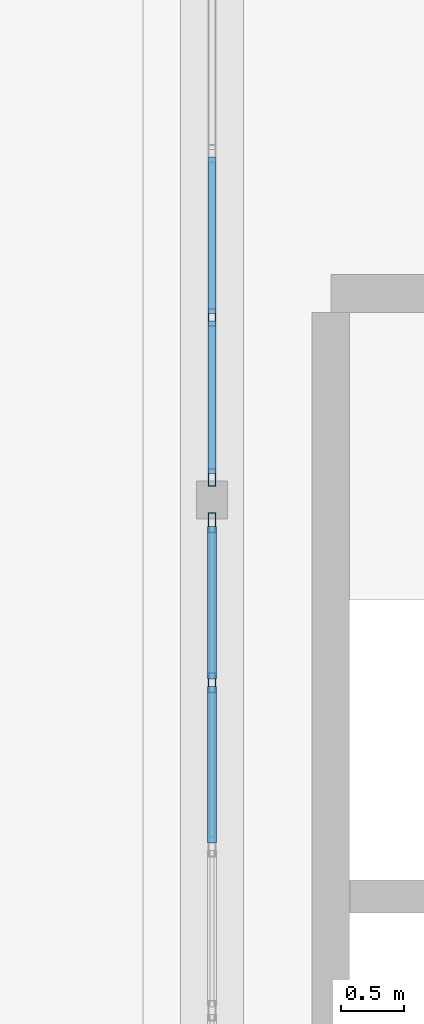
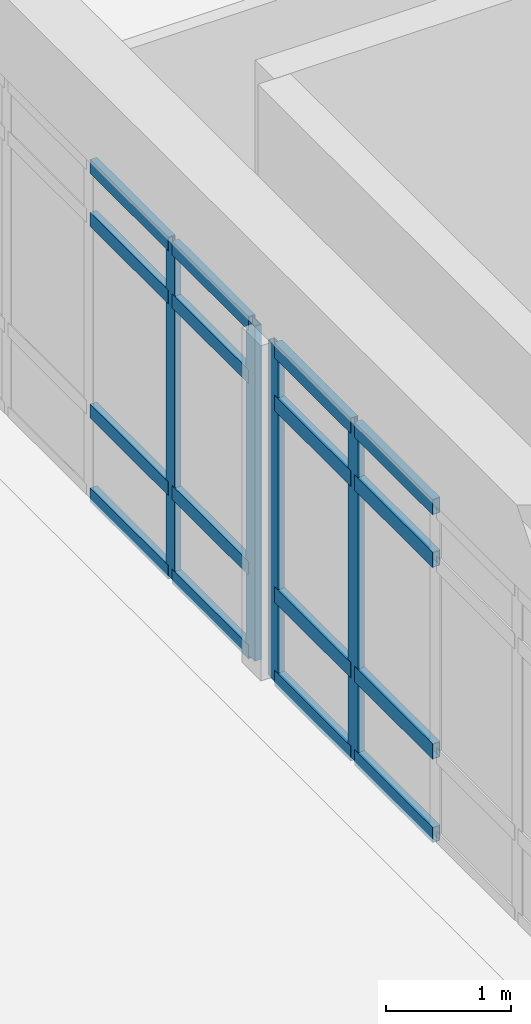
# One storey, part 39 of 109: 20 members, 2 elements without a shape of their own.
"""IFC4 building model written with IfcOpenShell, lengths in metres."""

from ifc_helpers import new_model, si_unit, direction, frame, origin, origin_2d, place, context, subcontext, project, spatial, hollow_rectangle, extrude, material, layer, layer_set, material_profile, profile_set, type_object, element, aggregate, save


model = new_model("IFC4")

# Units and contexts
model_context = context("Model", 3, precision=1e-05, world=origin(), true_north=direction((0.0, 1.0)))
body_context = subcontext(model_context, "Body", "Model", "MODEL_VIEW")
ifc_project = project(units=[si_unit("LENGTHUNIT", "METRE"), si_unit("AREAUNIT", "SQUARE_METRE"), si_unit("VOLUMEUNIT", "CUBIC_METRE"), si_unit("PLANEANGLEUNIT", "RADIAN"), si_unit("MASSUNIT", "GRAM", prefix="KILO")], contexts=[model_context])

# Site, building, storey
site_placement = place(None, origin())
site = spatial("IfcSite", under=ifc_project, at=site_placement, CompositionType="ELEMENT")
building_placement = place(site_placement, origin())
building = spatial("IfcBuilding", under=site, at=building_placement, Name="Fikremerkos Civic Library", CompositionType="ELEMENT")
storey_placement = place(building_placement, frame((0.0, 0.0, 5.39990234375)))
storey = spatial("IfcBuildingStorey", under=building, at=storey_placement, Name="L01", CompositionType="ELEMENT", Elevation=5.39990234375)

# Curtain wall, members
ifc_material = material(Name="Anodized aluminium Frame", Category="aluminium")
ifc_layer_1 = layer(ifc_material, 0.159912109375, Name="Anodized aluminium Frame")
ifc_layer_set_1 = layer_set([ifc_layer_1], Name="Anodized aluminium Frame")
curtain_wall_type_1 = type_object("IfcCurtainWallType", Name="Unitised curtain wall CW-02 3900x3600", PredefinedType="USERDEFINED", material=ifc_layer_set_1)
curtain_wall_1_placement = place(storey_placement, origin())
curtain_wall_1 = element("IfcCurtainWall", 1, at=curtain_wall_1_placement, inside=storey, type_object=curtain_wall_type_1, Name="Unitised curtain wall CW-02 L01 #128", ObjectType="UNITISED CURTAIN WALL", PredefinedType="USERDEFINED")
ifc_material_profile_1 = material_profile(ifc_material, hollow_rectangle(XDim=0.06005859375, YDim=0.159912109375, WallThickness=0.00390625, at=origin_2d()), Name="ALU 160x60x4")
ifc_profile_set_1 = profile_set([ifc_material_profile_1], Name="Anodized aluminium Frame")
member_type_1 = type_object("IfcMemberType", Name="Curtain mullion CWM-02 ALU 160x60x4", PredefinedType="MULLION", material=ifc_profile_set_1)
member_1_placement = place(storey_placement, frame((73.199951171875, 101.93896484375, 0.0), z_axis=(0.0, 0.0, 1.0), x_axis=(-1.0, 0.0, 0.0)))
member_1 = element("IfcMember", 2, at=member_1_placement, type_object=member_type_1, Name="CW-02 mullion 5", PredefinedType="MULLION", context=body_context, shape_type="SweptSolid", body=[
    extrude(hollow_rectangle(XDim=0.06005859375, YDim=0.159912109375, WallThickness=0.00390625, at=origin_2d()), origin(), (0.0, 0.0, 1.0), 3.27001953125),
])
member_2_placement = place(storey_placement, frame((73.199951171875, 103.21923828125, 0.0), z_axis=(0.0, 0.0, 1.0), x_axis=(-1.0, 0.0, 0.0)))
member_2 = element("IfcMember", 3, at=member_2_placement, type_object=member_type_1, Name="CW-02 mullion 6", PredefinedType="MULLION", context=body_context, shape_type="SweptSolid", body=[
    extrude(hollow_rectangle(XDim=0.06005859375, YDim=0.159912109375, WallThickness=0.00390625, at=origin_2d()), origin(), (0.0, 0.0, 1.0), 3.27001953125),
])

ifc_layer_2 = layer(ifc_material, 0.159912109375, Name="Anodized aluminium Frame")
ifc_layer_set_2 = layer_set([ifc_layer_2], Name="Anodized aluminium Frame")
curtain_wall_type_2 = type_object("IfcCurtainWallType", Name="Unitised curtain wall CW-03 4100x3600", PredefinedType="USERDEFINED", material=ifc_layer_set_2)
curtain_wall_2_placement = place(storey_placement, origin())
curtain_wall_2 = element("IfcCurtainWall", 4, at=curtain_wall_2_placement, inside=storey, type_object=curtain_wall_type_2, Name="Unitised curtain wall CW-03 L01 #129", ObjectType="UNITISED CURTAIN WALL", PredefinedType="USERDEFINED")
ifc_material_profile_2 = material_profile(ifc_material, hollow_rectangle(XDim=0.06005859375, YDim=0.139892578125, WallThickness=0.00390625, at=origin_2d()), Name="ALU 140x60x4")
ifc_profile_set_2 = profile_set([ifc_material_profile_2], Name="Anodized aluminium Frame")
member_type_2 = type_object("IfcMemberType", Name="Curtain mullion CWM-03 ALU 140x60x4", PredefinedType="MULLION", material=ifc_profile_set_2)
member_3_placement = place(storey_placement, frame((73.199951171875, 103.579345703125, 0.0), z_axis=(0.0, 0.0, 1.0), x_axis=(-1.0, 0.0, 0.0)))
member_3 = element("IfcMember", 5, at=member_3_placement, type_object=member_type_2, Name="CW-03 mullion 1", PredefinedType="MULLION", context=body_context, shape_type="SweptSolid", body=[
    extrude(hollow_rectangle(XDim=0.06005859375, YDim=0.139892578125, WallThickness=0.00390625, at=origin_2d()), origin(), (0.0, 0.0, 1.0), 3.27001953125),
])
member_4_placement = place(storey_placement, frame((73.199951171875, 104.859619140625, 0.0), z_axis=(0.0, 0.0, 1.0), x_axis=(-1.0, 0.0, 0.0)))
member_4 = element("IfcMember", 6, at=member_4_placement, type_object=member_type_2, Name="CW-03 mullion 2", PredefinedType="MULLION", context=body_context, shape_type="SweptSolid", body=[
    extrude(hollow_rectangle(XDim=0.06005859375, YDim=0.139892578125, WallThickness=0.00390625, at=origin_2d()), origin(), (0.0, 0.0, 1.0), 3.27001953125),
])

# Member
ifc_material_profile_3 = material_profile(ifc_material, hollow_rectangle(XDim=0.070068359375, YDim=0.14990234375, WallThickness=0.00439453125, at=origin_2d()), Name="ALU 150x70x4.5")
ifc_profile_set_3 = profile_set([ifc_material_profile_3], Name="Anodized aluminium Frame")
member_type_3 = type_object("IfcMemberType", Name="Curtain transom CWT-01 ALU 150x70x4.5", PredefinedType="USERDEFINED", material=ifc_profile_set_3)
member_5_placement = place(storey_placement, frame((73.199951171875, 100.65869140625, 0.03515625), z_axis=(0.0, 1.0, 0.0), x_axis=(-1.0, 0.0, 0.0)))
member_5 = element("IfcMember", 7, at=member_5_placement, type_object=member_type_3, Name="CW-02 transom 4.1", ObjectType="TRANSOM", PredefinedType="USERDEFINED", context=body_context, shape_type="SweptSolid", body=[
    extrude(hollow_rectangle(XDim=0.070068359375, YDim=0.14990234375, WallThickness=0.00439453125, at=origin_2d()), origin(), (0.0, 0.0, 1.0), 1.25048828125),
])

member_6_placement = place(storey_placement, frame((73.199951171875, 100.65869140625, 0.85009765625), z_axis=(0.0, 1.0, 0.0), x_axis=(-1.0, 0.0, 0.0)))
member_6 = element("IfcMember", 8, at=member_6_placement, type_object=member_type_3, Name="CW-02 transom 4.2", ObjectType="TRANSOM", PredefinedType="USERDEFINED", context=body_context, shape_type="SweptSolid", body=[
    extrude(hollow_rectangle(XDim=0.070068359375, YDim=0.14990234375, WallThickness=0.00439453125, at=origin_2d()), origin(), (0.0, 0.0, 1.0), 1.25048828125),
])

member_7_placement = place(storey_placement, frame((73.199951171875, 100.65869140625, 2.72021484375), z_axis=(0.0, 1.0, 0.0), x_axis=(-1.0, 0.0, 0.0)))
member_7 = element("IfcMember", 9, at=member_7_placement, type_object=member_type_3, Name="CW-02 transom 4.3", ObjectType="TRANSOM", PredefinedType="USERDEFINED", context=body_context, shape_type="SweptSolid", body=[
    extrude(hollow_rectangle(XDim=0.070068359375, YDim=0.14990234375, WallThickness=0.00439453125, at=origin_2d()), origin(), (0.0, 0.0, 1.0), 1.25048828125),
])

member_8_placement = place(storey_placement, frame((73.199951171875, 100.65869140625, 3.235107421875), z_axis=(0.0, 1.0, 0.0), x_axis=(-1.0, 0.0, 0.0)))
member_8 = element("IfcMember", 10, at=member_8_placement, type_object=member_type_3, Name="CW-02 transom 4.4", ObjectType="TRANSOM", PredefinedType="USERDEFINED", context=body_context, shape_type="SweptSolid", body=[
    extrude(hollow_rectangle(XDim=0.070068359375, YDim=0.14990234375, WallThickness=0.00439453125, at=origin_2d()), origin(), (0.0, 0.0, 1.0), 1.25048828125),
])

member_9_placement = place(storey_placement, frame((73.199951171875, 101.968994140625, 0.03515625), z_axis=(0.0, 1.0, 0.0), x_axis=(-1.0, 0.0, 0.0)))
member_9 = element("IfcMember", 11, at=member_9_placement, type_object=member_type_3, Name="CW-02 transom 5.1", ObjectType="TRANSOM", PredefinedType="USERDEFINED", context=body_context, shape_type="SweptSolid", body=[
    extrude(hollow_rectangle(XDim=0.070068359375, YDim=0.14990234375, WallThickness=0.00439453125, at=origin_2d()), origin(), (0.0, 0.0, 1.0), 1.22021484375),
])

member_10_placement = place(storey_placement, frame((73.199951171875, 101.968994140625, 0.85009765625), z_axis=(0.0, 1.0, 0.0), x_axis=(-1.0, 0.0, 0.0)))
member_10 = element("IfcMember", 12, at=member_10_placement, type_object=member_type_3, Name="CW-02 transom 5.2", ObjectType="TRANSOM", PredefinedType="USERDEFINED", context=body_context, shape_type="SweptSolid", body=[
    extrude(hollow_rectangle(XDim=0.070068359375, YDim=0.14990234375, WallThickness=0.00439453125, at=origin_2d()), origin(), (0.0, 0.0, 1.0), 1.22021484375),
])

member_11_placement = place(storey_placement, frame((73.199951171875, 101.968994140625, 2.72021484375), z_axis=(0.0, 1.0, 0.0), x_axis=(-1.0, 0.0, 0.0)))
member_11 = element("IfcMember", 13, at=member_11_placement, type_object=member_type_3, Name="CW-02 transom 5.3", ObjectType="TRANSOM", PredefinedType="USERDEFINED", context=body_context, shape_type="SweptSolid", body=[
    extrude(hollow_rectangle(XDim=0.070068359375, YDim=0.14990234375, WallThickness=0.00439453125, at=origin_2d()), origin(), (0.0, 0.0, 1.0), 1.22021484375),
])

member_12_placement = place(storey_placement, frame((73.199951171875, 101.968994140625, 3.235107421875), z_axis=(0.0, 1.0, 0.0), x_axis=(-1.0, 0.0, 0.0)))
member_12 = element("IfcMember", 14, at=member_12_placement, type_object=member_type_3, Name="CW-02 transom 5.4", ObjectType="TRANSOM", PredefinedType="USERDEFINED", context=body_context, shape_type="SweptSolid", body=[
    extrude(hollow_rectangle(XDim=0.070068359375, YDim=0.14990234375, WallThickness=0.00439453125, at=origin_2d()), origin(), (0.0, 0.0, 1.0), 1.22021484375),
])

aggregate(curtain_wall_1, [member_1, member_2, member_5, member_6, member_7, member_8, member_9, member_10, member_11, member_12])

ifc_material_profile_4 = material_profile(ifc_material, hollow_rectangle(XDim=0.06494140625, YDim=0.135009765625, WallThickness=0.00439453125, at=origin_2d()), Name="ALU 135x65x4.5")
ifc_profile_set_4 = profile_set([ifc_material_profile_4], Name="Anodized aluminium Frame")
member_type_4 = type_object("IfcMemberType", Name="Curtain transom CWT-02 ALU 135x65x4.5", PredefinedType="USERDEFINED", material=ifc_profile_set_4)
member_13_placement = place(storey_placement, frame((73.199951171875, 103.609375, 0.03271484375), z_axis=(0.0, 1.0, 0.0), x_axis=(-1.0, 0.0, 0.0)))
member_13 = element("IfcMember", 15, at=member_13_placement, type_object=member_type_4, Name="CW-03 transom 1.1", ObjectType="TRANSOM", PredefinedType="USERDEFINED", context=body_context, shape_type="SweptSolid", body=[
    extrude(hollow_rectangle(XDim=0.06494140625, YDim=0.135009765625, WallThickness=0.00439453125, at=origin_2d()), origin(), (0.0, 0.0, 1.0), 1.22021484375),
])

member_14_placement = place(storey_placement, frame((73.199951171875, 103.609375, 0.85009765625), z_axis=(0.0, 1.0, 0.0), x_axis=(-1.0, 0.0, 0.0)))
member_14 = element("IfcMember", 16, at=member_14_placement, type_object=member_type_4, Name="CW-03 transom 1.2", ObjectType="TRANSOM", PredefinedType="USERDEFINED", context=body_context, shape_type="SweptSolid", body=[
    extrude(hollow_rectangle(XDim=0.06494140625, YDim=0.135009765625, WallThickness=0.00439453125, at=origin_2d()), origin(), (0.0, 0.0, 1.0), 1.22021484375),
])

member_15_placement = place(storey_placement, frame((73.199951171875, 103.609375, 2.72021484375), z_axis=(0.0, 1.0, 0.0), x_axis=(-1.0, 0.0, 0.0)))
member_15 = element("IfcMember", 17, at=member_15_placement, type_object=member_type_4, Name="CW-03 transom 1.3", ObjectType="TRANSOM", PredefinedType="USERDEFINED", context=body_context, shape_type="SweptSolid", body=[
    extrude(hollow_rectangle(XDim=0.06494140625, YDim=0.135009765625, WallThickness=0.00439453125, at=origin_2d()), origin(), (0.0, 0.0, 1.0), 1.22021484375),
])

member_16_placement = place(storey_placement, frame((73.199951171875, 103.609375, 3.237548828125), z_axis=(0.0, 1.0, 0.0), x_axis=(-1.0, 0.0, 0.0)))
member_16 = element("IfcMember", 18, at=member_16_placement, type_object=member_type_4, Name="CW-03 transom 1.4", ObjectType="TRANSOM", PredefinedType="USERDEFINED", context=body_context, shape_type="SweptSolid", body=[
    extrude(hollow_rectangle(XDim=0.06494140625, YDim=0.135009765625, WallThickness=0.00439453125, at=origin_2d()), origin(), (0.0, 0.0, 1.0), 1.22021484375),
])

member_17_placement = place(storey_placement, frame((73.199951171875, 104.8896484375, 0.03271484375), z_axis=(0.0, 1.0, 0.0), x_axis=(-1.0, 0.0, 0.0)))
member_17 = element("IfcMember", 19, at=member_17_placement, type_object=member_type_4, Name="CW-03 transom 2.1", ObjectType="TRANSOM", PredefinedType="USERDEFINED", context=body_context, shape_type="SweptSolid", body=[
    extrude(hollow_rectangle(XDim=0.06494140625, YDim=0.135009765625, WallThickness=0.00439453125, at=origin_2d()), origin(), (0.0, 0.0, 1.0), 1.250244140625),
])

member_18_placement = place(storey_placement, frame((73.199951171875, 104.8896484375, 0.85009765625), z_axis=(0.0, 1.0, 0.0), x_axis=(-1.0, 0.0, 0.0)))
member_18 = element("IfcMember", 20, at=member_18_placement, type_object=member_type_4, Name="CW-03 transom 2.2", ObjectType="TRANSOM", PredefinedType="USERDEFINED", context=body_context, shape_type="SweptSolid", body=[
    extrude(hollow_rectangle(XDim=0.06494140625, YDim=0.135009765625, WallThickness=0.00439453125, at=origin_2d()), origin(), (0.0, 0.0, 1.0), 1.250244140625),
])

member_19_placement = place(storey_placement, frame((73.199951171875, 104.8896484375, 2.72021484375), z_axis=(0.0, 1.0, 0.0), x_axis=(-1.0, 0.0, 0.0)))
member_19 = element("IfcMember", 21, at=member_19_placement, type_object=member_type_4, Name="CW-03 transom 2.3", ObjectType="TRANSOM", PredefinedType="USERDEFINED", context=body_context, shape_type="SweptSolid", body=[
    extrude(hollow_rectangle(XDim=0.06494140625, YDim=0.135009765625, WallThickness=0.00439453125, at=origin_2d()), origin(), (0.0, 0.0, 1.0), 1.250244140625),
])

member_20_placement = place(storey_placement, frame((73.199951171875, 104.8896484375, 3.237548828125), z_axis=(0.0, 1.0, 0.0), x_axis=(-1.0, 0.0, 0.0)))
member_20 = element("IfcMember", 22, at=member_20_placement, type_object=member_type_4, Name="CW-03 transom 2.4", ObjectType="TRANSOM", PredefinedType="USERDEFINED", context=body_context, shape_type="SweptSolid", body=[
    extrude(hollow_rectangle(XDim=0.06494140625, YDim=0.135009765625, WallThickness=0.00439453125, at=origin_2d()), origin(), (0.0, 0.0, 1.0), 1.250244140625),
])

aggregate(curtain_wall_2, [member_3, member_4, member_13, member_14, member_15, member_16, member_17, member_18, member_19, member_20])

save(model, "model.ifc")
